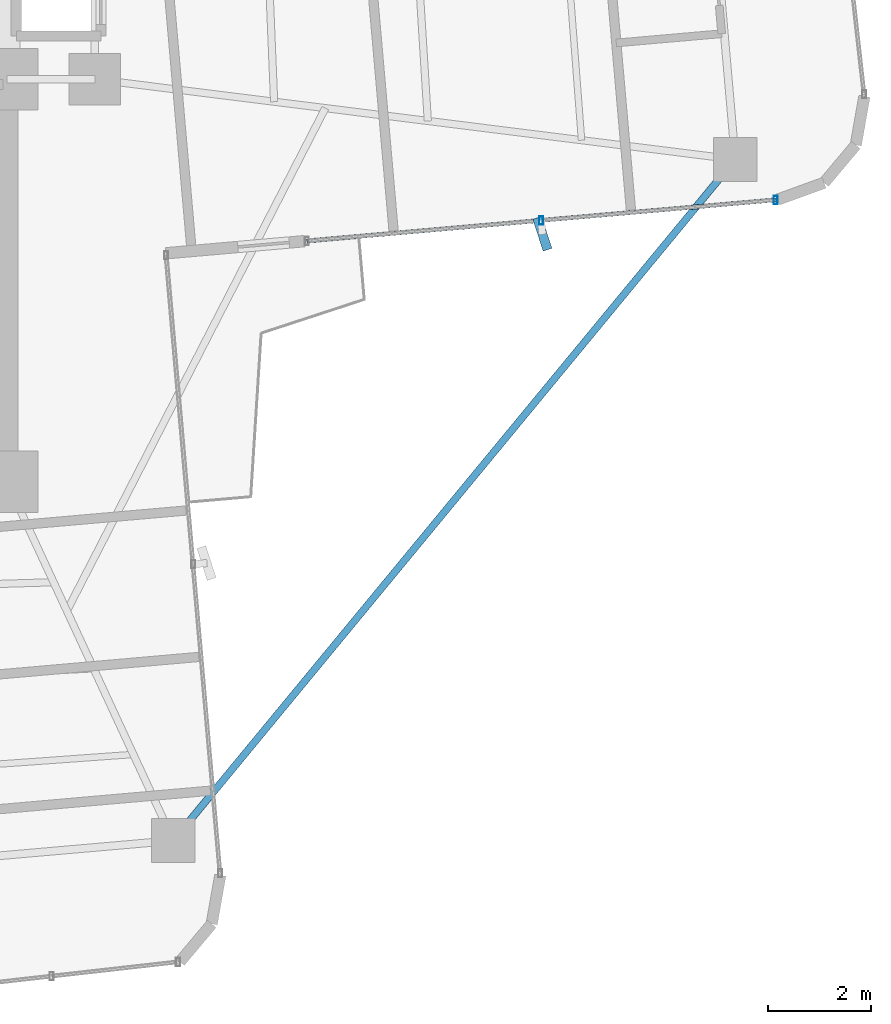
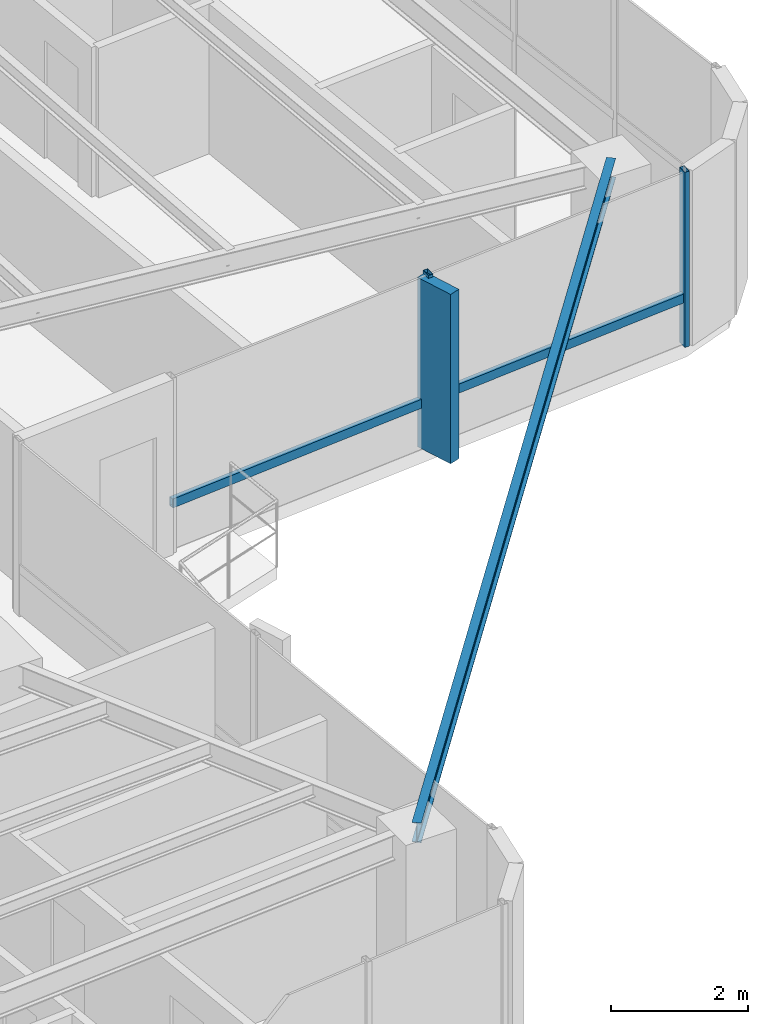
# One storey, part 13 of 24: 5 members, 1 beam, 1 element without a shape of its own.
"""IFC4 building model written with IfcOpenShell, lengths in metres."""

from ifc_helpers import new_model, si_unit, direction, frame, origin, origin_2d, place, context, subcontext, project, spatial, rectangle, hollow_rectangle, i_section, extrude, source, transform, mapped, material, material_profile, profile_set, type_object, element, aggregate, save


model = new_model("IFC4")

# Units and contexts
model_context = context("Model", 3, precision=1e-05, world=origin(), true_north=direction((0.0, 1.0)))
body_context = subcontext(model_context, "Body", "Model", "MODEL_VIEW")
ifc_project = project(units=[si_unit("LENGTHUNIT", "METRE"), si_unit("AREAUNIT", "SQUARE_METRE"), si_unit("VOLUMEUNIT", "CUBIC_METRE"), si_unit("PLANEANGLEUNIT", "RADIAN"), si_unit("MASSUNIT", "GRAM", prefix="KILO")], contexts=[model_context])

# Site, building, storey
site_placement = place(None, origin())
site = spatial("IfcSite", under=ifc_project, at=site_placement, CompositionType="ELEMENT")
building_placement = place(site_placement, origin())
building = spatial("IfcBuilding", under=site, at=building_placement, Name="Sahyath Konkavel Grand Hotel", CompositionType="ELEMENT")
storey_placement = place(building_placement, frame((0.0, 0.0, 175.199951171875)))
storey = spatial("IfcBuildingStorey", under=building, at=storey_placement, Name="L48", CompositionType="ELEMENT", Elevation=175.199951171875)

# Beam
ifc_material_1 = material(Name="Steel E350", Category="steel")
ifc_material_profile_1 = material_profile(ifc_material_1, i_section(OverallWidth=0.139892578125, OverallDepth=0.35009765625, WebThickness=0.008056640625, FlangeThickness=0.01416015625, FilletRadius=0.013916015625, at=origin_2d()), Name="ISMB 350")
ifc_profile_set_1 = profile_set([ifc_material_profile_1], Name="Steel E350")
beam_type = type_object("IfcBeamType", Name="BM-ISMB350", PredefinedType="BEAM", material=ifc_profile_set_1)
shared_shape_1 = source(origin(), body_context, "Body", "SweptSolid", [
    extrude(i_section(OverallWidth=0.139892578125, OverallDepth=0.35009765625, WebThickness=0.008056640625, FlangeThickness=0.01416015625, FilletRadius=0.013916015625, at=origin_2d()), origin(), (0.0, 0.0, 1.0), 17.112548828125),
])
beam_placement = place(storey_placement, frame((17.912841796875, -3.953857421875, 2.93505859375), z_axis=(-0.636437070092, -0.77132863023, 0.0), x_axis=(0.77132863023, -0.636437070092, 0.0)))
element("IfcBeam", 1, at=beam_placement, inside=storey, type_object=beam_type, Name="L48 Re-Entrant Tie Beam SE", PredefinedType="BEAM", context=body_context, shape_type="MappedRepresentation", body=[
    mapped(shared_shape_1, transform((0.0, 0.0, 0.0), scale=1.0)),
])

# Curtain wall, members
ifc_material_2 = material(Name="Anodised Bronze Aluminium & Low-E Glazing", Category="aluminium")
curtain_wall_type = type_object("IfcCurtainWallType", Name="CW-ZONE3", PredefinedType="NOTDEFINED", material=ifc_material_2)
curtain_wall_placement = place(storey_placement, origin())
curtain_wall = element("IfcCurtainWall", 2, at=curtain_wall_placement, inside=storey, type_object=curtain_wall_type, Name="L48 Unitised Curtain Wall F0", PredefinedType="NOTDEFINED")
ifc_material_3 = material(Name="Warm Buff Sandstone Cladding on Concrete C50/60", Category="masonry")
ifc_material_profile_2 = material_profile(ifc_material_3, rectangle(XDim=0.179931640625, YDim=0.64990234375, at=origin_2d()), Name="FIN 180x650")
ifc_profile_set_2 = profile_set([ifc_material_profile_2], Name="Warm Buff Sandstone Cladding on Concrete C50/60")
member_type_1 = type_object("IfcMemberType", Name="FIN-SANDSTONE-650", PredefinedType="MULLION", material=ifc_profile_set_2)
shared_shape_2 = source(origin(), body_context, "Body", "SweptSolid", [
    extrude(rectangle(XDim=0.179931640625, YDim=0.64990234375, at=origin_2d()), origin(), (0.0, 0.0, 1.0), 3.010009765625),
])
member_1_placement = place(storey_placement, frame((14.17431640625, -5.39501953125, 0.050048828125), z_axis=(0.0, 0.0, 1.0), x_axis=(0.951648033235, 0.307190528564, 0.0)))
member_1 = element("IfcMember", 3, at=member_1_placement, type_object=member_type_1, Name="L48 Sandstone Vertical Solar Fin FIN F0-1", PredefinedType="MULLION", context=body_context, shape_type="MappedRepresentation", body=[
    mapped(shared_shape_2, transform((0.0, 0.0, 0.0), scale=1.0)),
])
ifc_material_4 = material(Name="Anodised Bronze Aluminium", Category="aluminium")
ifc_material_profile_3 = material_profile(ifc_material_4, hollow_rectangle(XDim=0.080078125, YDim=0.159912109375, WallThickness=0.006103515625, at=origin_2d()), Name="RHS 160x80x6")
ifc_profile_set_3 = profile_set([ifc_material_profile_3], Name="Anodised Bronze Aluminium")
member_type_2 = type_object("IfcMemberType", Name="CW-MUL-160", PredefinedType="MULLION", material=ifc_profile_set_3)
shared_shape_3 = source(origin(), body_context, "Body", "SweptSolid", [
    extrude(hollow_rectangle(XDim=0.080078125, YDim=0.159912109375, WallThickness=0.006103515625, at=origin_2d()), origin(), (0.0, 0.0, 1.0), 3.110107421875),
])
member_2_placement = place(storey_placement, frame((14.151611328125, -5.135986328125, 0.0), z_axis=(0.0, 0.0, 1.0), x_axis=(1.0, 0.0, 0.0)))
member_2 = element("IfcMember", 4, at=member_2_placement, type_object=member_type_2, Name="L48 Curtain Wall Mullion F0-1", PredefinedType="MULLION", context=body_context, shape_type="MappedRepresentation", body=[
    mapped(shared_shape_3, transform((0.0, 0.0, 0.0), scale=1.0)),
])
member_3_placement = place(storey_placement, frame((18.694091796875, -4.73876953125, 0.0), z_axis=(0.0, 0.0, 1.0), x_axis=(1.0, 0.0, 0.0)))
member_3 = element("IfcMember", 5, at=member_3_placement, type_object=member_type_2, Name="L48 Curtain Wall Mullion F0-2", PredefinedType="MULLION", context=body_context, shape_type="MappedRepresentation", body=[
    mapped(shared_shape_3, transform((0.0, 0.0, 0.0), scale=1.0)),
])
ifc_material_profile_4 = material_profile(ifc_material_4, hollow_rectangle(XDim=0.080078125, YDim=0.159912109375, WallThickness=0.006103515625, at=origin_2d()), Name="RHS 160x80x6")
ifc_profile_set_4 = profile_set([ifc_material_profile_4], Name="Anodised Bronze Aluminium")
member_type_3 = type_object("IfcMemberType", Name="CW-TRN-160", PredefinedType="USERDEFINED", material=ifc_profile_set_4)
shared_shape_4 = source(origin(), body_context, "Body", "SweptSolid", [
    extrude(hollow_rectangle(XDim=0.080078125, YDim=0.159912109375, WallThickness=0.006103515625, at=origin_2d()), origin(), (0.0, 0.0, 1.0), 4.56005859375),
])
member_4_placement = place(storey_placement, frame((9.60888671875, -5.53369140625, 0.85009765625), z_axis=(0.996189590376, 0.087214104516, 0.0), x_axis=(-0.087214104516, 0.996189590376, 0.0)))
member_4 = element("IfcMember", 6, at=member_4_placement, type_object=member_type_3, Name="L48 Curtain Wall Transom F0-0-spandrel", ObjectType="TRANSOM", PredefinedType="USERDEFINED", context=body_context, shape_type="MappedRepresentation", body=[
    mapped(shared_shape_4, transform((0.0, 0.0, 0.0), scale=1.0)),
])
shared_shape_5 = source(origin(), body_context, "Body", "SweptSolid", [
    extrude(hollow_rectangle(XDim=0.080078125, YDim=0.159912109375, WallThickness=0.006103515625, at=origin_2d()), origin(), (0.0, 0.0, 1.0), 4.559814453125),
])
member_5_placement = place(storey_placement, frame((14.151611328125, -5.135986328125, 0.85009765625), z_axis=(0.99619848155, 0.087112486804, 0.0), x_axis=(-0.087112486804, 0.99619848155, 0.0)))
member_5 = element("IfcMember", 7, at=member_5_placement, type_object=member_type_3, Name="L48 Curtain Wall Transom F0-1-spandrel", ObjectType="TRANSOM", PredefinedType="USERDEFINED", context=body_context, shape_type="MappedRepresentation", body=[
    mapped(shared_shape_5, transform((0.0, 0.0, 0.0), scale=1.0)),
])
aggregate(curtain_wall, [member_2, member_1, member_3, member_4, member_5])

save(model, "model.ifc")
